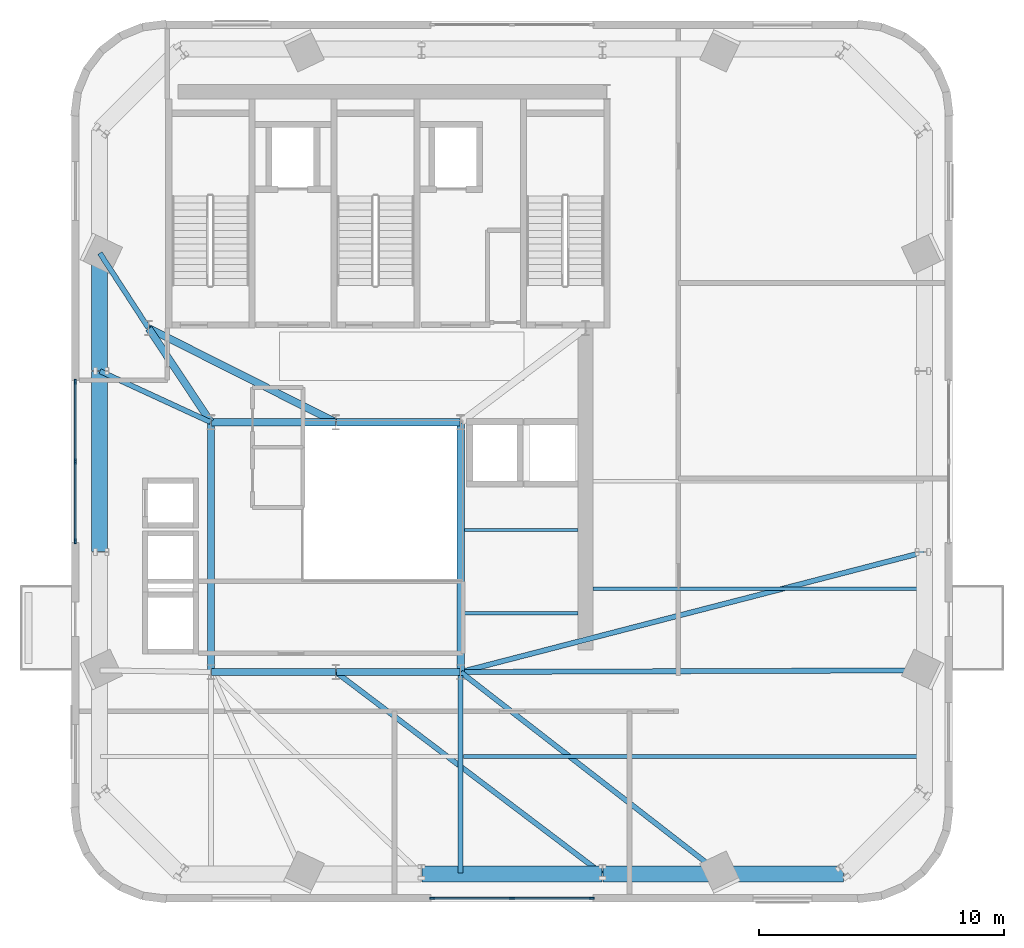
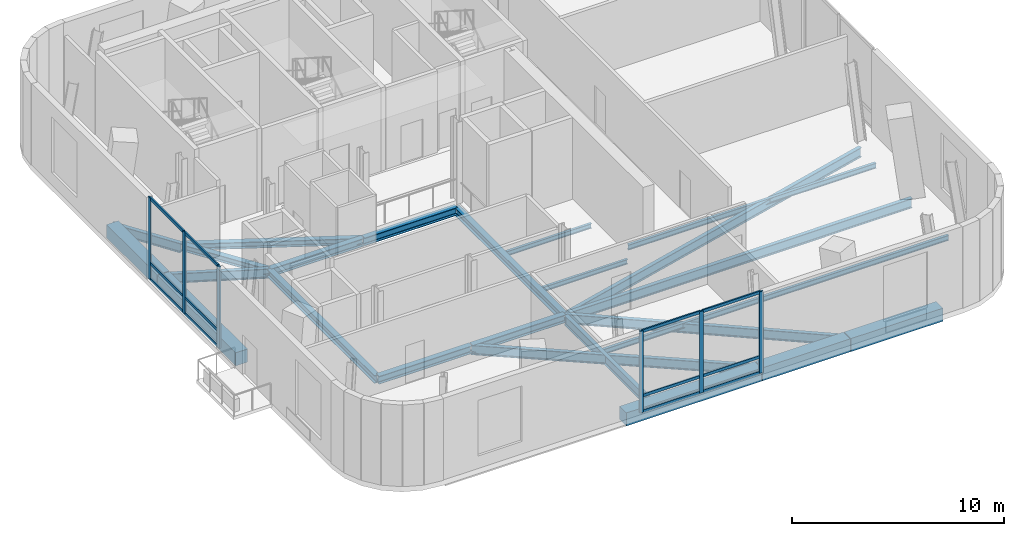
# One storey, part 2 of 11: 24 beams, 18 members, 2 elements without a shape of their own.
"""IFC4 building model written with IfcOpenShell, lengths in metres."""

import ifcopenshell
import ifcopenshell.guid

model = None  # the IFC model being written
_history = None  # IfcOwnerHistory: only IFC2X3 demands one
_inside = {}  # id of a spatial element -> (the spatial element, [elements in it])
_under = {}  # id of a project, library or spatial element -> (it, [spatial elements below it])
_declared = {}  # id of a project -> (the project, [libraries it declares])
_typed = {}  # id of a type object -> (the type object, [elements of that type])
_made_of = {}  # id of a material, layer set ... -> (it, [elements and type objects made of it])


def new_model(schema):
    """Start an empty IFC model of exactly this schema.

    Asked for "IFC4X3", IfcOpenShell would pick the latest addendum, in which some entities
    have other attributes; the version numbers below select the first issue.
    IFC2X3 requires an IfcOwnerHistory on every rooted entity: one is made here for all.
    """
    global model, _history
    if schema == "IFC4X3":
        model = ifcopenshell.file(schema_version=(4, 3, 0, 0))
    else:
        model = ifcopenshell.file(schema=schema)
    _inside.clear()
    _under.clear()
    _declared.clear()
    _typed.clear()
    _made_of.clear()
    _history = None
    if model.schema == "IFC2X3":
        org = make("IfcOrganization", Name="unknown")
        user = make(
            "IfcPersonAndOrganization",
            ThePerson=make("IfcPerson", FamilyName="unknown"),
            TheOrganization=org,
        )
        app = make(
            "IfcApplication",
            ApplicationDeveloper=org,
            Version="unknown",
            ApplicationFullName="unknown",
            ApplicationIdentifier="unknown",
        )
        _history = make(
            "IfcOwnerHistory",
            OwningUser=user,
            OwningApplication=app,
            ChangeAction="ADDED",
            CreationDate=0,
        )
    return model


def make(cls, **values):
    """One entity of the class cls with the attributes given. An attribute that is None is left unset."""
    return model.create_entity(
        cls, **{name: value for name, value in values.items() if value is not None}
    )


def rooted(cls, **values):
    """An entity with a GlobalId (a new one), such as an element, a storey or a relation."""
    return make(cls, GlobalId=ifcopenshell.guid.new(), OwnerHistory=_history, **values)


def si_unit(unit_type, name, prefix=None):
    """IfcSIUnit, for example si_unit("LENGTHUNIT", "METRE", prefix="MILLI")."""
    return make("IfcSIUnit", UnitType=unit_type, Prefix=prefix, Name=name)


def assignment(units):
    """IfcUnitAssignment: the units of a project."""
    return None if units is None else make("IfcUnitAssignment", Units=units)


def point(xyz):
    """IfcCartesianPoint."""
    return None if xyz is None else make("IfcCartesianPoint", Coordinates=xyz)


def direction(xyz):
    """IfcDirection."""
    return None if xyz is None else make("IfcDirection", DirectionRatios=xyz)


def frame(location, z_axis=None, x_axis=None):
    """IfcAxis2Placement3D, a coordinate frame: its origin and axes. An axis left out is left unset."""
    return make(
        "IfcAxis2Placement3D",
        Location=point(location),
        Axis=direction(z_axis),
        RefDirection=direction(x_axis),
    )


def frame_2d(location, x_axis=None):
    """IfcAxis2Placement2D, a coordinate frame in the plane: its origin and x axis."""
    return make(
        "IfcAxis2Placement2D", Location=point(location), RefDirection=direction(x_axis)
    )


def origin():
    """The frame at (0, 0, 0) with its axes left unset."""
    return frame((0.0, 0.0, 0.0))


def origin_2d():
    """The frame at (0, 0) in the plane with its x axis left unset."""
    return frame_2d((0.0, 0.0))


def place(relative_to, where):
    """IfcLocalPlacement: puts the frame where relative to a parent placement (None: the world)."""
    return make(
        "IfcLocalPlacement", PlacementRelTo=relative_to, RelativePlacement=where
    )


def context(
    kind, dimensions, precision=None, world=None, true_north=None, identifier=None
):
    """IfcGeometricRepresentationContext, for example the 3D "Model" context."""
    return make(
        "IfcGeometricRepresentationContext",
        ContextIdentifier=identifier,
        ContextType=kind,
        CoordinateSpaceDimension=dimensions,
        Precision=precision,
        WorldCoordinateSystem=world,
        TrueNorth=true_north,
    )


def subcontext(parent, identifier, kind, view, scale=None):
    """IfcGeometricRepresentationSubContext, for example "Body" below "Model"."""
    return make(
        "IfcGeometricRepresentationSubContext",
        ContextIdentifier=identifier,
        ContextType=kind,
        ParentContext=parent,
        TargetScale=scale,
        TargetView=view,
    )


def project(units=None, contexts=None):
    """IfcProject with its units and contexts."""
    return rooted(
        "IfcProject",
        Name="project",
        RepresentationContexts=contexts,
        UnitsInContext=assignment(units),
    )


def spatial(cls, under=None, at=None, **own):
    """A site, building, storey or space (cls), placed at a placement, below another one or the project."""
    s = rooted(cls, ObjectPlacement=at, **own)
    if under is not None:
        _under.setdefault(under.id(), (under, []))[1].append(s)
    return s


def profile(cls, at=None, kind="AREA", **sizes):
    """A parametric profile (cls). Its sizes go by their IFC names, for example OverallWidth=200.0."""
    return make(cls, ProfileType=kind, Position=at, **sizes)


def rectangle(**sizes):
    """IfcRectangleProfileDef."""
    return profile("IfcRectangleProfileDef", **sizes)


def i_section(**sizes):
    """IfcIShapeProfileDef."""
    return profile("IfcIShapeProfileDef", **sizes)


def extrude(swept, where, along, depth):
    """IfcExtrudedAreaSolid: the profile swept, set in the frame where, extruded along a direction by depth."""
    return make(
        "IfcExtrudedAreaSolid",
        SweptArea=swept,
        Position=where,
        ExtrudedDirection=direction(along),
        Depth=depth,
    )


def shape(context_of_items, identifier, shape_type, items):
    """IfcShapeRepresentation: the items that make up one representation, for example the "Body"."""
    return make(
        "IfcShapeRepresentation",
        ContextOfItems=context_of_items,
        RepresentationIdentifier=identifier,
        RepresentationType=shape_type,
        Items=items,
    )


def source(mapping_origin, context_of_items, identifier, shape_type, items):
    """IfcRepresentationMap: a shape defined once, which mapped items show again and again."""
    return make(
        "IfcRepresentationMap",
        MappingOrigin=mapping_origin,
        MappedRepresentation=shape(context_of_items, identifier, shape_type, items),
    )


def transform(
    local_origin,
    x_axis=None,
    y_axis=None,
    z_axis=None,
    scale=None,
    scale2=None,
    scale3=None,
    uniform=True,
):
    """IfcCartesianTransformationOperator3D, or its non-uniform kind. x_axis, y_axis, z_axis: its Axis1, 2, 3."""
    if uniform:
        return make(
            "IfcCartesianTransformationOperator3D",
            Axis1=direction(x_axis),
            Axis2=direction(y_axis),
            LocalOrigin=point(local_origin),
            Scale=scale,
            Axis3=direction(z_axis),
        )
    return make(
        "IfcCartesianTransformationOperator3DnonUniform",
        Axis1=direction(x_axis),
        Axis2=direction(y_axis),
        LocalOrigin=point(local_origin),
        Scale=scale,
        Axis3=direction(z_axis),
        Scale2=scale2,
        Scale3=scale3,
    )


def mapped(mapping_source, mapping_target):
    """IfcMappedItem: shows the shape of a source again, moved by a transform."""
    return make(
        "IfcMappedItem", MappingSource=mapping_source, MappingTarget=mapping_target
    )


def material(Name=None, Category=None):
    """IfcMaterial."""
    return make("IfcMaterial", Name=Name, Category=Category)


def material_profile(
    of_material, cross_section, Name=None, Category=None, Priority=None
):
    """IfcMaterialProfile: a cross section and its material."""
    return make(
        "IfcMaterialProfile",
        Name=Name,
        Material=of_material,
        Profile=cross_section,
        Priority=Priority,
        Category=Category,
    )


def profile_set(profiles, Name=None, composite=None):
    """IfcMaterialProfileSet."""
    return make(
        "IfcMaterialProfileSet",
        Name=Name,
        MaterialProfiles=profiles,
        CompositeProfile=composite,
    )


def made_of(thing, what):
    """Note that an element or type object is made of a material, layer set ...; save() writes the relation."""
    if what is not None:
        _made_of.setdefault(what.id(), (what, []))[1].append(thing)
    return thing


def type_object(cls, material=None, **own):
    """A type object (cls), such as IfcWallType, which elements share."""
    return made_of(rooted(cls, **own), material)


def element(
    cls,
    number,
    at=None,
    inside=None,
    cuts=None,
    type_object=None,
    material=None,
    context=None,
    identifier="Body",
    shape_type=None,
    held_by="IfcProductDefinitionShape",
    body=None,
    shapes=None,
    **own,
):
    """One element of the class cls, such as IfcWall. Its Tag is "e" and its number.

    at: its placement. inside: the storey or other place that contains it. cuts: it is an
    opening in that element (IfcRelVoidsElement). A single representation is given by context,
    identifier, shape_type and body (its items); several are given by shapes. held_by: the class
    of the entity that holds the representations. save() writes the other relations.
    """
    e = rooted(cls, Tag="e%d" % number, ObjectPlacement=at, **own)
    if body is not None:
        shapes = [shape(context, identifier, shape_type, body)]
    if shapes is not None:
        e.Representation = make(held_by, Representations=shapes)
    if inside is not None:
        _inside.setdefault(inside.id(), (inside, []))[1].append(e)
    if cuts is not None:
        rooted(
            "IfcRelVoidsElement", RelatingBuildingElement=cuts, RelatedOpeningElement=e
        )
    if type_object is not None:
        _typed.setdefault(type_object.id(), (type_object, []))[1].append(e)
    return made_of(e, material)


def aggregate(whole, parts):
    """IfcRelAggregates: a whole, such as a stair, and the parts it consists of."""
    return rooted("IfcRelAggregates", RelatingObject=whole, RelatedObjects=parts)


def save(model, path):
    """Write the relations noted so far, then the file.

    IfcRelAggregates (storeys below a building ...), IfcRelContainedInSpatialStructure (elements
    in a storey), IfcRelDefinesByType, IfcRelAssociatesMaterial and IfcRelDeclares: one each for
    every whole, place, type object, material and project.
    """
    for whole, parts in _under.values():
        aggregate(whole, parts)
    for where, things in _inside.values():
        rooted(
            "IfcRelContainedInSpatialStructure",
            RelatedElements=things,
            RelatingStructure=where,
        )
    for kind, things in _typed.values():
        rooted("IfcRelDefinesByType", RelatedObjects=things, RelatingType=kind)
    for what, things in _made_of.values():
        rooted("IfcRelAssociatesMaterial", RelatedObjects=things, RelatingMaterial=what)
    for by, libraries in _declared.values():
        rooted("IfcRelDeclares", RelatingContext=by, RelatedDefinitions=libraries)
    model.write(path)


model = new_model("IFC4")

# Units and contexts
model_context = context("Model", 3, precision=1e-05, world=origin(), true_north=direction((0.0, 1.0)))
body_context = subcontext(model_context, "Body", "Model", "MODEL_VIEW")
ifc_project = project(units=[si_unit("LENGTHUNIT", "METRE"), si_unit("AREAUNIT", "SQUARE_METRE"), si_unit("VOLUMEUNIT", "CUBIC_METRE"), si_unit("PLANEANGLEUNIT", "RADIAN"), si_unit("MASSUNIT", "GRAM", prefix="KILO")], contexts=[model_context])

# Site, building, storey
site_placement = place(None, origin())
site = spatial("IfcSite", under=ifc_project, at=site_placement, CompositionType="ELEMENT")
building_placement = place(site_placement, origin())
building = spatial("IfcBuilding", under=site, at=building_placement, Name="Vardaveli Station Tower", CompositionType="ELEMENT")
storey_placement = place(building_placement, frame((0.0, 0.0, 296.14990234375)))
storey = spatial("IfcBuildingStorey", under=building, at=storey_placement, Name="L75", CompositionType="ELEMENT", Elevation=296.14990234375)

# Beams
ifc_material_1 = material(Name="Structural steel S355J2", Category="steel")
ifc_material_profile_1 = material_profile(ifc_material_1, i_section(OverallWidth=0.300048828125, OverallDepth=0.449951171875, WebThickness=0.013916015625, FlangeThickness=0.02587890625, FilletRadius=0.027099609375, at=origin_2d()), Name="HEB 450")
ifc_profile_set_1 = profile_set([ifc_material_profile_1], Name="Structural steel S355J2")
beam_type_1 = type_object("IfcBeamType", Name="BM-HEB450", PredefinedType="BEAM", material=ifc_profile_set_1)
shared_shape_1 = source(origin(), body_context, "Body", "SweptSolid", [
    extrude(i_section(OverallWidth=0.300048828125, OverallDepth=0.449951171875, WebThickness=0.013916015625, FlangeThickness=0.02587890625, FilletRadius=0.027099609375, at=origin_2d()), origin(), (0.0, 0.0, 1.0), 5.06005859375),
])
for number, where, z_axis, x_axis, name in (
    (1, (31.219970703125, 16.60009765625, -0.52490234375), (1.0, 0.0, 0.0), (0.0, 1.0, 0.0), "ABM-L75-01"),
    (2, (36.280029296875, 26.800048828125, -0.52490234375), (-1.0, 0.0, 0.0), (0.0, -1.0, 0.0), "ABM-L75-05"),
):
    element("IfcBeam", number, at=place(storey_placement, frame(where, z_axis=z_axis, x_axis=x_axis)), inside=storey, type_object=beam_type_1, Name=name, PredefinedType="BEAM", context=body_context, shape_type="MappedRepresentation", body=[
        mapped(shared_shape_1, transform((0.0, 0.0, 0.0), scale=1.0)),
    ])
shared_shape_2 = source(origin(), body_context, "Body", "SweptSolid", [
    extrude(i_section(OverallWidth=0.300048828125, OverallDepth=0.449951171875, WebThickness=0.013916015625, FlangeThickness=0.02587890625, FilletRadius=0.027099609375, at=origin_2d()), origin(), (0.0, 0.0, 1.0), 5.059814453125),
])
for number, where, z_axis, x_axis, name in (
    (3, (36.320068359375, 16.60009765625, -0.52490234375), (1.0, 0.0, 0.0), (0.0, 1.0, 0.0), "ABM-L75-02"),
    (4, (41.3798828125, 26.800048828125, -0.52490234375), (-1.0, 0.0, 0.0), (0.0, -1.0, 0.0), "ABM-L75-04"),
):
    element("IfcBeam", number, at=place(storey_placement, frame(where, z_axis=z_axis, x_axis=x_axis)), inside=storey, type_object=beam_type_1, Name=name, PredefinedType="BEAM", context=body_context, shape_type="MappedRepresentation", body=[
        mapped(shared_shape_2, transform((0.0, 0.0, 0.0), scale=1.0)),
    ])
shared_shape_3 = source(origin(), body_context, "Body", "SweptSolid", [
    extrude(i_section(OverallWidth=0.300048828125, OverallDepth=0.449951171875, WebThickness=0.013916015625, FlangeThickness=0.02587890625, FilletRadius=0.027099609375, at=origin_2d()), origin(), (0.0, 0.0, 1.0), 10.159912109375),
])
for number, where, z_axis, x_axis, name in (
    (5, (41.39990234375, 16.6201171875, -0.52490234375), (0.0, 1.0, 0.0), (-1.0, 0.0, 0.0), "ABM-L75-03"),
    (6, (31.199951171875, 26.780029296875, -0.52490234375), (0.0, -1.0, 0.0), (1.0, 0.0, 0.0), "ABM-L75-06"),
):
    element("IfcBeam", number, at=place(storey_placement, frame(where, z_axis=z_axis, x_axis=x_axis)), inside=storey, type_object=beam_type_1, Name=name, PredefinedType="BEAM", context=body_context, shape_type="MappedRepresentation", body=[
        mapped(shared_shape_3, transform((0.0, 0.0, 0.0), scale=1.0)),
    ])
ifc_material_profile_2 = material_profile(ifc_material_1, i_section(OverallWidth=0.300048828125, OverallDepth=0.360107421875, WebThickness=0.012451171875, FlangeThickness=0.0224609375, FilletRadius=0.027099609375, at=origin_2d()), Name="HEB 360")
ifc_profile_set_2 = profile_set([ifc_material_profile_2], Name="Structural steel S355J2")
beam_type_2 = type_object("IfcBeamType", Name="BM-HEB360", PredefinedType="BEAM", material=ifc_profile_set_2)
shared_shape_4 = source(origin(), body_context, "Body", "SweptSolid", [
    extrude(i_section(OverallWidth=0.300048828125, OverallDepth=0.360107421875, WebThickness=0.012451171875, FlangeThickness=0.0224609375, FilletRadius=0.027099609375, at=origin_2d()), origin(), (0.0, 0.0, 1.0), 4.577880859375),
])
beam_1_placement = place(storey_placement, frame((31.18896484375, 26.816650390625, -0.47998046875), z_axis=(-0.55218702139, 0.833720272879, 0.0), x_axis=(-0.833720272879, -0.55218702139, 0.0)))
element("IfcBeam", 7, at=beam_1_placement, inside=storey, type_object=beam_type_2, Name="CBM-L75-01", PredefinedType="BEAM", context=body_context, shape_type="MappedRepresentation", body=[
    mapped(shared_shape_4, transform((0.0, 0.0, 0.0), scale=1.0)),
])
shared_shape_5 = source(origin(), body_context, "Body", "SweptSolid", [
    extrude(i_section(OverallWidth=0.300048828125, OverallDepth=0.360107421875, WebThickness=0.012451171875, FlangeThickness=0.0224609375, FilletRadius=0.027099609375, at=origin_2d()), origin(), (0.0, 0.0, 1.0), 8.524169921875),
])
beam_2_placement = place(storey_placement, frame((28.66796875, 30.64111328125, -0.47998046875), z_axis=(0.893255584708, -0.449549174605, 0.0), x_axis=(0.449549174605, 0.893255584708, 0.0)))
element("IfcBeam", 8, at=beam_2_placement, inside=storey, type_object=beam_type_2, Name="CBM-L75-03", PredefinedType="BEAM", context=body_context, shape_type="MappedRepresentation", body=[
    mapped(shared_shape_5, transform((0.0, 0.0, 0.0), scale=1.0)),
])
ifc_material_2 = material(Name="Precast concrete C45/55", Category="concrete")
ifc_material_profile_3 = material_profile(ifc_material_2, rectangle(XDim=0.64990234375, YDim=0.75, at=origin_2d()), Name="LPB 650x750")
ifc_profile_set_3 = profile_set([ifc_material_profile_3], Name="Precast concrete C45/55")
beam_type_3 = type_object("IfcBeamType", Name="BM-LPB-750", PredefinedType="BEAM", material=ifc_profile_set_3)
shared_shape_6 = source(origin(), body_context, "Body", "SweptSolid", [
    extrude(rectangle(XDim=0.64990234375, YDim=0.75, at=origin_2d()), origin(), (0.0, 0.0, 1.0), 7.35986328125),
])
for number, where, z_axis, x_axis, name in (
    (9, (39.820068359375, 8.35009765625, -0.6748046875), (1.0, 0.0, 0.0), (0.0, 1.0, 0.0), "RBM-L75-02"),
    (10, (26.64990234375, 28.8798828125, -0.6748046875), (0.0, -1.0, 0.0), (1.0, 0.0, 0.0), "RBM-L75-20"),
):
    element("IfcBeam", number, at=place(storey_placement, frame(where, z_axis=z_axis, x_axis=x_axis)), inside=storey, type_object=beam_type_3, Name=name, PredefinedType="BEAM", context=body_context, shape_type="MappedRepresentation", body=[
        mapped(shared_shape_6, transform((0.0, 0.0, 0.0), scale=1.0)),
    ])
ifc_material_profile_4 = material_profile(ifc_material_1, i_section(OverallWidth=0.135009765625, OverallDepth=0.27001953125, WebThickness=0.006591796875, FlangeThickness=0.01025390625, FilletRadius=0.014892578125, at=origin_2d()), Name="IPE 270")
ifc_profile_set_4 = profile_set([ifc_material_profile_4], Name="Structural steel S355J2")
beam_type_4 = type_object("IfcBeamType", Name="BM-IPE270", PredefinedType="BEAM", material=ifc_profile_set_4)
shared_shape_7 = source(origin(), body_context, "Body", "SweptSolid", [
    extrude(i_section(OverallWidth=0.135009765625, OverallDepth=0.27001953125, WebThickness=0.006591796875, FlangeThickness=0.01025390625, FilletRadius=0.014892578125, at=origin_2d()), origin(), (0.0, 0.0, 1.0), 4.630126953125),
])
for number, where, z_axis, x_axis, name in (
    (11, (41.56494140625, 19.0, -0.434814453125), (1.0, 0.0, 0.0), (0.0, 1.0, 0.0), "TJ-L75-01"),
    (12, (41.56494140625, 22.39990234375, -0.434814453125), (1.0, 0.0, 0.0), (0.0, 1.0, 0.0), "TJ-L75-02"),
):
    element("IfcBeam", number, at=place(storey_placement, frame(where, z_axis=z_axis, x_axis=x_axis)), inside=storey, type_object=beam_type_4, Name=name, PredefinedType="BEAM", context=body_context, shape_type="MappedRepresentation", body=[
        mapped(shared_shape_7, transform((0.0, 0.0, 0.0), scale=1.0)),
    ])
shared_shape_8 = source(origin(), body_context, "Body", "SweptSolid", [
    extrude(rectangle(XDim=0.64990234375, YDim=0.75, at=origin_2d()), origin(), (0.0, 0.0, 1.0), 4.7919921875),
])
for number, where, z_axis, x_axis, name in (
    (13, (47.219970703125, 8.35009765625, -0.6748046875), (1.0, 0.0, 0.0), (0.0, 1.0, 0.0), "RBM-L75-03"),
    (14, (26.64990234375, 33.7119140625, -0.6748046875), (0.0, -1.0, 0.0), (1.0, 0.0, 0.0), "RBM-L75-19"),
):
    element("IfcBeam", number, at=place(storey_placement, frame(where, z_axis=z_axis, x_axis=x_axis)), inside=storey, type_object=beam_type_3, Name=name, PredefinedType="BEAM", context=body_context, shape_type="MappedRepresentation", body=[
        mapped(shared_shape_8, transform((0.0, 0.0, 0.0), scale=1.0)),
    ])
shared_shape_9 = source(origin(), body_context, "Body", "SweptSolid", [
    extrude(rectangle(XDim=0.64990234375, YDim=0.75, at=origin_2d()), origin(), (0.0, 0.0, 1.0), 4.998046875),
])
beam_3_placement = place(storey_placement, frame((52.052001953125, 8.35009765625, -0.6748046875), z_axis=(1.0, 0.0, 0.0), x_axis=(0.0, 1.0, 0.0)))
element("IfcBeam", 15, at=beam_3_placement, inside=storey, type_object=beam_type_3, Name="RBM-L75-04", PredefinedType="BEAM", context=body_context, shape_type="MappedRepresentation", body=[
    mapped(shared_shape_9, transform((0.0, 0.0, 0.0), scale=1.0)),
])
ifc_material_profile_5 = material_profile(ifc_material_1, i_section(OverallWidth=0.2099609375, OverallDepth=0.550048828125, WebThickness=0.010986328125, FlangeThickness=0.01708984375, FilletRadius=0.02392578125, at=origin_2d()), Name="IPE 550")
ifc_profile_set_5 = profile_set([ifc_material_profile_5], Name="Structural steel S355J2")
beam_type_5 = type_object("IfcBeamType", Name="BM-IPE550", PredefinedType="BEAM", material=ifc_profile_set_5)
shared_shape_10 = source(origin(), body_context, "Body", "SweptSolid", [
    extrude(i_section(OverallWidth=0.2099609375, OverallDepth=0.550048828125, WebThickness=0.010986328125, FlangeThickness=0.01708984375, FilletRadius=0.02392578125, at=origin_2d()), origin(), (0.0, 0.0, 1.0), 13.630126953125),
])
beam_4_placement = place(storey_placement, frame((47.18408203125, 8.362060546875, -0.574951171875), z_axis=(-0.797361425036, 0.603502077764, 0.0), x_axis=(-0.603502077764, -0.797361425036, 0.0)))
element("IfcBeam", 16, at=beam_4_placement, inside=storey, type_object=beam_type_5, Name="GBM-L75-03", PredefinedType="BEAM", context=body_context, shape_type="MappedRepresentation", body=[
    mapped(shared_shape_10, transform((0.0, 0.0, 0.0), scale=1.0)),
])
shared_shape_11 = source(origin(), body_context, "Body", "SweptSolid", [
    extrude(i_section(OverallWidth=0.2099609375, OverallDepth=0.550048828125, WebThickness=0.010986328125, FlangeThickness=0.01708984375, FilletRadius=0.02392578125, at=origin_2d()), origin(), (0.0, 0.0, 1.0), 13.417236328125),
])
beam_5_placement = place(storey_placement, frame((52.01611328125, 8.3623046875, -0.574951171875), z_axis=(-0.790051270394, 0.613040773644, 0.0), x_axis=(-0.613040773644, -0.790051270394, 0.0)))
element("IfcBeam", 17, at=beam_5_placement, inside=storey, type_object=beam_type_5, Name="GBM-L75-04", PredefinedType="BEAM", context=body_context, shape_type="MappedRepresentation", body=[
    mapped(shared_shape_11, transform((0.0, 0.0, 0.0), scale=1.0)),
])
shared_shape_12 = source(origin(), body_context, "Body", "SweptSolid", [
    extrude(i_section(OverallWidth=0.2099609375, OverallDepth=0.550048828125, WebThickness=0.010986328125, FlangeThickness=0.01708984375, FilletRadius=0.02392578125, at=origin_2d()), origin(), (0.0, 0.0, 1.0), 18.91015625),
])
beam_6_placement = place(storey_placement, frame((60.330078125, 16.66796875, -0.574951171875), z_axis=(-0.999993559119, -0.003589111359, 0.0), x_axis=(0.003589111359, -0.999993559119, 0.0)))
element("IfcBeam", 18, at=beam_6_placement, inside=storey, type_object=beam_type_5, Name="GBM-L75-05", PredefinedType="BEAM", context=body_context, shape_type="MappedRepresentation", body=[
    mapped(shared_shape_12, transform((0.0, 0.0, 0.0), scale=1.0)),
])
shared_shape_13 = source(origin(), body_context, "Body", "SweptSolid", [
    extrude(i_section(OverallWidth=0.2099609375, OverallDepth=0.550048828125, WebThickness=0.010986328125, FlangeThickness=0.01708984375, FilletRadius=0.02392578125, at=origin_2d()), origin(), (0.0, 0.0, 1.0), 19.533203125),
])
beam_7_placement = place(storey_placement, frame((60.33056640625, 21.494873046875, -0.574951171875), z_axis=(-0.968158298498, -0.250338788544, 0.0), x_axis=(0.250338788544, -0.968158298498, 0.0)))
element("IfcBeam", 19, at=beam_7_placement, inside=storey, type_object=beam_type_5, Name="GBM-L75-06", PredefinedType="BEAM", context=body_context, shape_type="MappedRepresentation", body=[
    mapped(shared_shape_13, transform((0.0, 0.0, 0.0), scale=1.0)),
])
shared_shape_14 = source(origin(), body_context, "Body", "SweptSolid", [
    extrude(i_section(OverallWidth=0.2099609375, OverallDepth=0.550048828125, WebThickness=0.010986328125, FlangeThickness=0.01708984375, FilletRadius=0.02392578125, at=origin_2d()), origin(), (0.0, 0.0, 1.0), 4.97119140625),
])
beam_8_placement = place(storey_placement, frame((26.668212890625, 28.8916015625, -0.574951171875), z_axis=(0.90795794711, -0.419061291794, 0.0), x_axis=(0.419061291794, 0.90795794711, 0.0)))
element("IfcBeam", 20, at=beam_8_placement, inside=storey, type_object=beam_type_5, Name="GBM-L75-08", PredefinedType="BEAM", context=body_context, shape_type="MappedRepresentation", body=[
    mapped(shared_shape_14, transform((0.0, 0.0, 0.0), scale=1.0)),
])
shared_shape_15 = source(origin(), body_context, "Body", "SweptSolid", [
    extrude(i_section(OverallWidth=0.2099609375, OverallDepth=0.550048828125, WebThickness=0.010986328125, FlangeThickness=0.01708984375, FilletRadius=0.02392578125, at=origin_2d()), origin(), (0.0, 0.0, 1.0), 3.63427734375),
])
beam_9_placement = place(storey_placement, frame((26.660888671875, 33.71533203125, -0.574951171875), z_axis=(0.544348283135, -0.838859312786, 0.0), x_axis=(0.838859312786, 0.544348283135, 0.0)))
element("IfcBeam", 21, at=beam_9_placement, inside=storey, type_object=beam_type_5, Name="GBM-L75-12", PredefinedType="BEAM", context=body_context, shape_type="MappedRepresentation", body=[
    mapped(shared_shape_15, transform((0.0, 0.0, 0.0), scale=1.0)),
])
shared_shape_16 = source(origin(), body_context, "Body", "SweptSolid", [
    extrude(i_section(OverallWidth=0.2099609375, OverallDepth=0.550048828125, WebThickness=0.010986328125, FlangeThickness=0.01708984375, FilletRadius=0.02392578125, at=origin_2d()), origin(), (0.0, 0.0, 1.0), 8.070068359375),
])
beam_10_placement = place(storey_placement, frame((41.39990234375, 8.389892578125, -0.574951171875), z_axis=(0.0, 1.0, 0.0), x_axis=(-1.0, 0.0, 0.0)))
element("IfcBeam", 22, at=beam_10_placement, inside=storey, type_object=beam_type_5, Name="NSM-L75-S2", PredefinedType="BEAM", context=body_context, shape_type="MappedRepresentation", body=[
    mapped(shared_shape_16, transform((0.0, 0.0, 0.0), scale=1.0)),
])
ifc_material_profile_6 = material_profile(ifc_material_1, i_section(OverallWidth=0.14990234375, OverallDepth=0.300048828125, WebThickness=0.007080078125, FlangeThickness=0.0107421875, FilletRadius=0.014892578125, at=origin_2d()), Name="IPE 300")
ifc_profile_set_6 = profile_set([ifc_material_profile_6], Name="Structural steel S355J2")
beam_type_6 = type_object("IfcBeamType", Name="BM-IPE300", PredefinedType="JOIST", material=ifc_profile_set_6)
shared_shape_17 = source(origin(), body_context, "Body", "SweptSolid", [
    extrude(i_section(OverallWidth=0.14990234375, OverallDepth=0.300048828125, WebThickness=0.007080078125, FlangeThickness=0.0107421875, FilletRadius=0.014892578125, at=origin_2d()), origin(), (0.0, 0.0, 1.0), 18.798095703125),
])
beam_11_placement = place(storey_placement, frame((41.511962890625, 13.14990234375, -0.449951171875), z_axis=(1.0, 0.0, 0.0), x_axis=(0.0, 1.0, 0.0)))
element("IfcBeam", 23, at=beam_11_placement, inside=storey, type_object=beam_type_6, Name="SJ-L75-S03", PredefinedType="JOIST", context=body_context, shape_type="MappedRepresentation", body=[
    mapped(shared_shape_17, transform((0.0, 0.0, 0.0), scale=1.0)),
])
shared_shape_18 = source(origin(), body_context, "Body", "SweptSolid", [
    extrude(i_section(OverallWidth=0.14990234375, OverallDepth=0.300048828125, WebThickness=0.007080078125, FlangeThickness=0.0107421875, FilletRadius=0.014892578125, at=origin_2d()), origin(), (0.0, 0.0, 1.0), 13.505126953125),
])
beam_12_placement = place(storey_placement, frame((46.804931640625, 20.0, -0.449951171875), z_axis=(1.0, 0.0, 0.0), x_axis=(0.0, 1.0, 0.0)))
element("IfcBeam", 24, at=beam_12_placement, inside=storey, type_object=beam_type_6, Name="SJ-L75-E06", PredefinedType="JOIST", context=body_context, shape_type="MappedRepresentation", body=[
    mapped(shared_shape_18, transform((0.0, 0.0, 0.0), scale=1.0)),
])

# Curtain wall, members
ifc_material_3 = material(Name="Travertine stone and solar-control glass", Category="masonry")
curtain_wall_type = type_object("IfcCurtainWallType", Name="CW-SYS-5", PredefinedType="NOTDEFINED", material=ifc_material_3)
curtain_wall_1_placement = place(storey_placement, origin())
curtain_wall_1 = element("IfcCurtainWall", 25, at=curtain_wall_1_placement, inside=storey, type_object=curtain_wall_type, Name="CW-L75-S", PredefinedType="NOTDEFINED")
ifc_material_4 = material(Name="Anodised aluminium alloy 6063-T6", Category="aluminium")
ifc_material_profile_7 = material_profile(ifc_material_4, rectangle(XDim=0.080078125, YDim=0.1650390625, at=origin_2d()), Name="CWT 80x165")
ifc_profile_set_7 = profile_set([ifc_material_profile_7], Name="Anodised aluminium alloy 6063-T6")
member_type_1 = type_object("IfcMemberType", Name="CW-SYS-5-TRAN", PredefinedType="NOTDEFINED", material=ifc_profile_set_7)
shared_shape_19 = source(origin(), body_context, "Body", "SweptSolid", [
    extrude(rectangle(XDim=0.080078125, YDim=0.1650390625, at=origin_2d()), origin(), (0.0, 0.0, 1.0), 3.179931640625),
])
member_1_placement = place(storey_placement, frame((40.280029296875, 7.360107421875, 0.0400390625), z_axis=(1.0, 0.0, 0.0), x_axis=(0.0, 1.0, 0.0)))
member_1 = element("IfcMember", 26, at=member_1_placement, type_object=member_type_1, Name="CW-5 transom 1.1", ObjectType="TRANSOM", PredefinedType="USERDEFINED", context=body_context, shape_type="MappedRepresentation", body=[
    mapped(shared_shape_19, transform((0.0, 0.0, 0.0), scale=1.0)),
])
member_2_placement = place(storey_placement, frame((40.280029296875, 7.360107421875, 0.9501953125), z_axis=(1.0, 0.0, 0.0), x_axis=(0.0, 1.0, 0.0)))
member_2 = element("IfcMember", 27, at=member_2_placement, type_object=member_type_1, Name="CW-5 transom 1.2", ObjectType="TRANSOM", PredefinedType="USERDEFINED", context=body_context, shape_type="MappedRepresentation", body=[
    mapped(shared_shape_19, transform((0.0, 0.0, 0.0), scale=1.0)),
])
member_3_placement = place(storey_placement, frame((40.280029296875, 7.360107421875, 4.66015625), z_axis=(1.0, 0.0, 0.0), x_axis=(0.0, 1.0, 0.0)))
member_3 = element("IfcMember", 28, at=member_3_placement, type_object=member_type_1, Name="CW-5 transom 1.3", ObjectType="TRANSOM", PredefinedType="USERDEFINED", context=body_context, shape_type="MappedRepresentation", body=[
    mapped(shared_shape_19, transform((0.0, 0.0, 0.0), scale=1.0)),
])
member_4_placement = place(storey_placement, frame((43.5400390625, 7.360107421875, 0.0400390625), z_axis=(1.0, 0.0, 0.0), x_axis=(0.0, 1.0, 0.0)))
member_4 = element("IfcMember", 29, at=member_4_placement, type_object=member_type_1, Name="CW-5 transom 2.1", ObjectType="TRANSOM", PredefinedType="USERDEFINED", context=body_context, shape_type="MappedRepresentation", body=[
    mapped(shared_shape_19, transform((0.0, 0.0, 0.0), scale=1.0)),
])
member_5_placement = place(storey_placement, frame((43.5400390625, 7.360107421875, 0.9501953125), z_axis=(1.0, 0.0, 0.0), x_axis=(0.0, 1.0, 0.0)))
member_5 = element("IfcMember", 30, at=member_5_placement, type_object=member_type_1, Name="CW-5 transom 2.2", ObjectType="TRANSOM", PredefinedType="USERDEFINED", context=body_context, shape_type="MappedRepresentation", body=[
    mapped(shared_shape_19, transform((0.0, 0.0, 0.0), scale=1.0)),
])
member_6_placement = place(storey_placement, frame((43.5400390625, 7.360107421875, 4.66015625), z_axis=(1.0, 0.0, 0.0), x_axis=(0.0, 1.0, 0.0)))
member_6 = element("IfcMember", 31, at=member_6_placement, type_object=member_type_1, Name="CW-5 transom 2.3", ObjectType="TRANSOM", PredefinedType="USERDEFINED", context=body_context, shape_type="MappedRepresentation", body=[
    mapped(shared_shape_19, transform((0.0, 0.0, 0.0), scale=1.0)),
])

curtain_wall_2_placement = place(storey_placement, origin())
curtain_wall_2 = element("IfcCurtainWall", 32, at=curtain_wall_2_placement, inside=storey, type_object=curtain_wall_type, Name="CW-L75-W", PredefinedType="NOTDEFINED")
member_7_placement = place(storey_placement, frame((25.659912109375, 28.419921875, 0.0400390625), z_axis=(0.0, -1.0, 0.0), x_axis=(1.0, 0.0, 0.0)))
member_7 = element("IfcMember", 33, at=member_7_placement, type_object=member_type_1, Name="CW-5 transom 1.1", ObjectType="TRANSOM", PredefinedType="USERDEFINED", context=body_context, shape_type="MappedRepresentation", body=[
    mapped(shared_shape_19, transform((0.0, 0.0, 0.0), scale=1.0)),
])
member_8_placement = place(storey_placement, frame((25.659912109375, 28.419921875, 0.9501953125), z_axis=(0.0, -1.0, 0.0), x_axis=(1.0, 0.0, 0.0)))
member_8 = element("IfcMember", 34, at=member_8_placement, type_object=member_type_1, Name="CW-5 transom 1.2", ObjectType="TRANSOM", PredefinedType="USERDEFINED", context=body_context, shape_type="MappedRepresentation", body=[
    mapped(shared_shape_19, transform((0.0, 0.0, 0.0), scale=1.0)),
])
member_9_placement = place(storey_placement, frame((25.659912109375, 28.419921875, 4.66015625), z_axis=(0.0, -1.0, 0.0), x_axis=(1.0, 0.0, 0.0)))
member_9 = element("IfcMember", 35, at=member_9_placement, type_object=member_type_1, Name="CW-5 transom 1.3", ObjectType="TRANSOM", PredefinedType="USERDEFINED", context=body_context, shape_type="MappedRepresentation", body=[
    mapped(shared_shape_19, transform((0.0, 0.0, 0.0), scale=1.0)),
])
member_10_placement = place(storey_placement, frame((25.659912109375, 25.159912109375, 0.0400390625), z_axis=(0.0, -1.0, 0.0), x_axis=(1.0, 0.0, 0.0)))
member_10 = element("IfcMember", 36, at=member_10_placement, type_object=member_type_1, Name="CW-5 transom 2.1", ObjectType="TRANSOM", PredefinedType="USERDEFINED", context=body_context, shape_type="MappedRepresentation", body=[
    mapped(shared_shape_19, transform((0.0, 0.0, 0.0), scale=1.0)),
])
member_11_placement = place(storey_placement, frame((25.659912109375, 25.159912109375, 0.9501953125), z_axis=(0.0, -1.0, 0.0), x_axis=(1.0, 0.0, 0.0)))
member_11 = element("IfcMember", 37, at=member_11_placement, type_object=member_type_1, Name="CW-5 transom 2.2", ObjectType="TRANSOM", PredefinedType="USERDEFINED", context=body_context, shape_type="MappedRepresentation", body=[
    mapped(shared_shape_19, transform((0.0, 0.0, 0.0), scale=1.0)),
])
member_12_placement = place(storey_placement, frame((25.659912109375, 25.159912109375, 4.66015625), z_axis=(0.0, -1.0, 0.0), x_axis=(1.0, 0.0, 0.0)))
member_12 = element("IfcMember", 38, at=member_12_placement, type_object=member_type_1, Name="CW-5 transom 2.3", ObjectType="TRANSOM", PredefinedType="USERDEFINED", context=body_context, shape_type="MappedRepresentation", body=[
    mapped(shared_shape_19, transform((0.0, 0.0, 0.0), scale=1.0)),
])

# Member
ifc_material_profile_8 = material_profile(ifc_material_4, rectangle(XDim=0.080078125, YDim=0.205078125, at=origin_2d()), Name="CWM 80x205")
ifc_profile_set_8 = profile_set([ifc_material_profile_8], Name="Anodised aluminium alloy 6063-T6")
member_type_2 = type_object("IfcMemberType", Name="CW-SYS-5-MULL", PredefinedType="MULLION", material=ifc_profile_set_8)
shared_shape_20 = source(origin(), body_context, "Body", "SweptSolid", [
    extrude(rectangle(XDim=0.080078125, YDim=0.205078125, at=origin_2d()), origin(), (0.0, 0.0, 1.0), 4.7001953125),
])
member_13_placement = place(storey_placement, frame((40.239990234375, 7.360107421875, 0.0), z_axis=(0.0, 0.0, 1.0), x_axis=(0.0, 1.0, 0.0)))
member_13 = element("IfcMember", 39, at=member_13_placement, type_object=member_type_2, Name="CW-5 mullion 1", PredefinedType="MULLION", context=body_context, shape_type="MappedRepresentation", body=[
    mapped(shared_shape_20, transform((0.0, 0.0, 0.0), scale=1.0)),
])

member_14_placement = place(storey_placement, frame((43.5, 7.360107421875, 0.0), z_axis=(0.0, 0.0, 1.0), x_axis=(0.0, 1.0, 0.0)))
member_14 = element("IfcMember", 40, at=member_14_placement, type_object=member_type_2, Name="CW-5 mullion 2", PredefinedType="MULLION", context=body_context, shape_type="MappedRepresentation", body=[
    mapped(shared_shape_20, transform((0.0, 0.0, 0.0), scale=1.0)),
])

member_15_placement = place(storey_placement, frame((46.760009765625, 7.360107421875, 0.0), z_axis=(0.0, 0.0, 1.0), x_axis=(0.0, 1.0, 0.0)))
member_15 = element("IfcMember", 41, at=member_15_placement, type_object=member_type_2, Name="CW-5 mullion 3", PredefinedType="MULLION", context=body_context, shape_type="MappedRepresentation", body=[
    mapped(shared_shape_20, transform((0.0, 0.0, 0.0), scale=1.0)),
])

aggregate(curtain_wall_1, [member_13, member_14, member_15, member_1, member_2, member_3, member_4, member_5, member_6])

member_16_placement = place(storey_placement, frame((25.659912109375, 28.4599609375, 0.0), z_axis=(0.0, 0.0, 1.0), x_axis=(1.0, 0.0, 0.0)))
member_16 = element("IfcMember", 42, at=member_16_placement, type_object=member_type_2, Name="CW-5 mullion 1", PredefinedType="MULLION", context=body_context, shape_type="MappedRepresentation", body=[
    mapped(shared_shape_20, transform((0.0, 0.0, 0.0), scale=1.0)),
])

member_17_placement = place(storey_placement, frame((25.659912109375, 25.199951171875, 0.0), z_axis=(0.0, 0.0, 1.0), x_axis=(1.0, 0.0, 0.0)))
member_17 = element("IfcMember", 43, at=member_17_placement, type_object=member_type_2, Name="CW-5 mullion 2", PredefinedType="MULLION", context=body_context, shape_type="MappedRepresentation", body=[
    mapped(shared_shape_20, transform((0.0, 0.0, 0.0), scale=1.0)),
])

member_18_placement = place(storey_placement, frame((25.659912109375, 21.93994140625, 0.0), z_axis=(0.0, 0.0, 1.0), x_axis=(1.0, 0.0, 0.0)))
member_18 = element("IfcMember", 44, at=member_18_placement, type_object=member_type_2, Name="CW-5 mullion 3", PredefinedType="MULLION", context=body_context, shape_type="MappedRepresentation", body=[
    mapped(shared_shape_20, transform((0.0, 0.0, 0.0), scale=1.0)),
])

aggregate(curtain_wall_2, [member_16, member_17, member_18, member_7, member_8, member_9, member_10, member_11, member_12])

save(model, "model.ifc")
